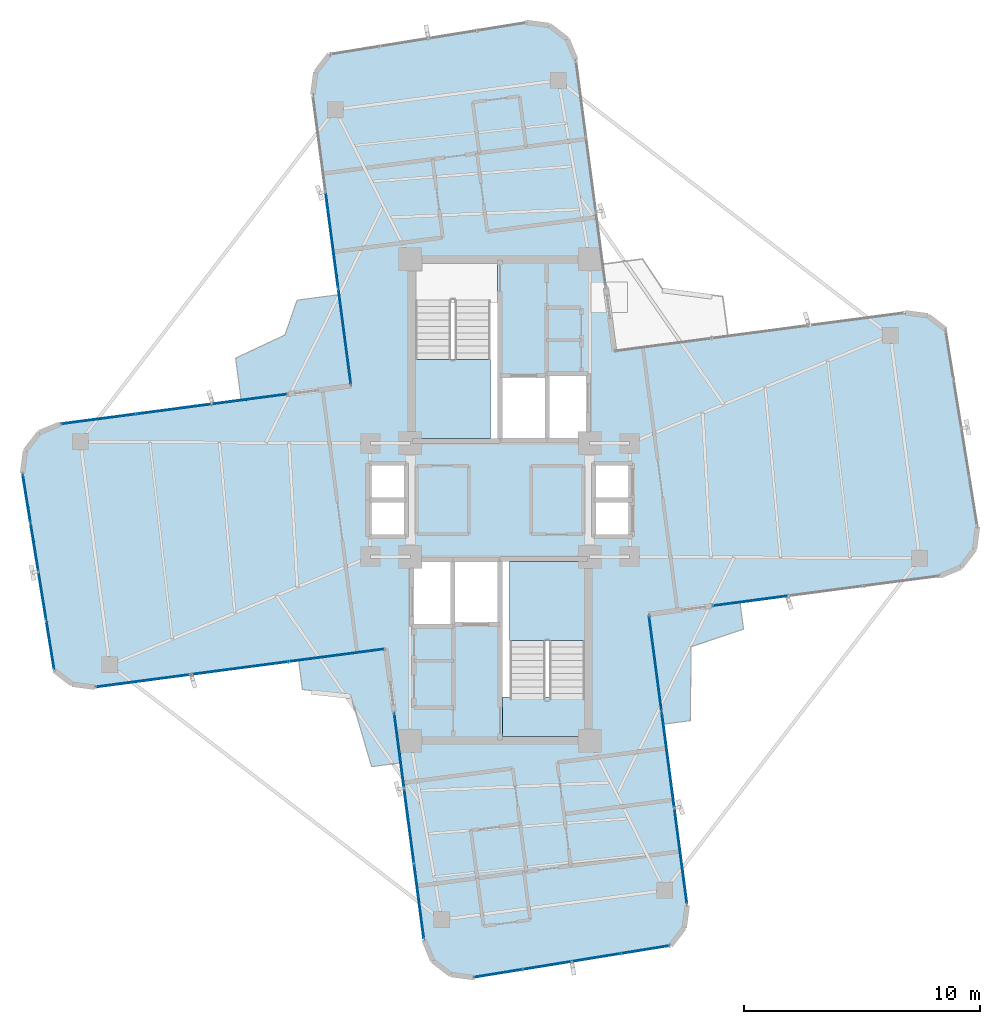
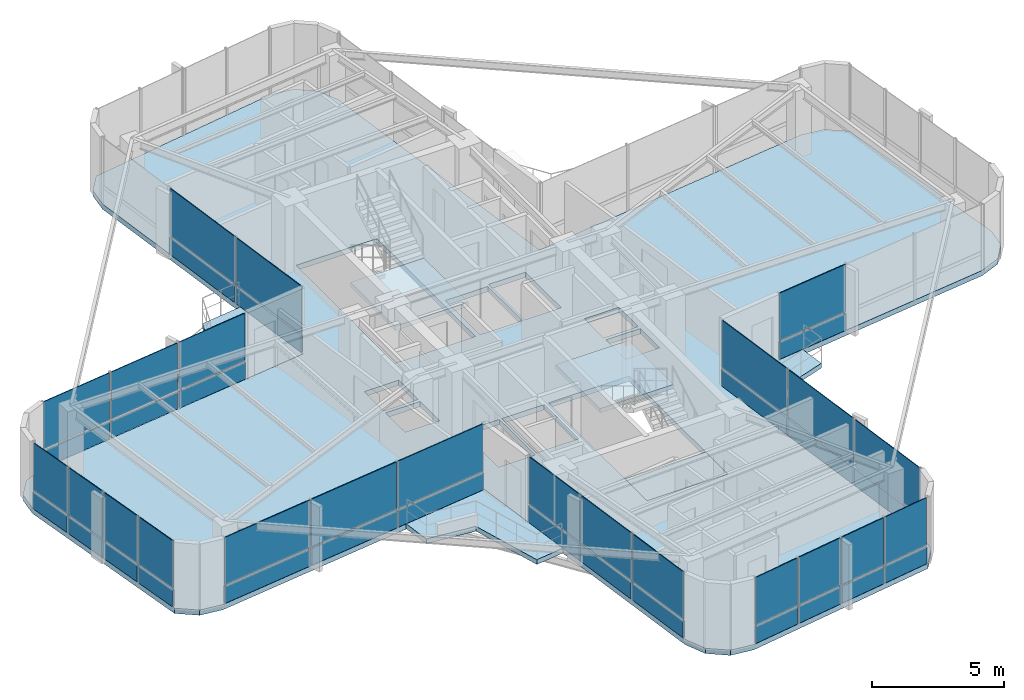
# One storey, part 17 of 22: 46 plates, 7 slabs, 10 elements without a shape of their own.
"""IFC4 building model written with IfcOpenShell, lengths in metres."""

from ifc_helpers import new_model, si_unit, direction, frame, origin, origin_2d, place, context, subcontext, project, spatial, polyline, rectangle, outline, extrude, source, transform, mapped, material, layer, layer_set, type_object, element, aggregate, save


model = new_model("IFC4")

# Units and contexts
model_context = context("Model", 3, precision=1e-05, world=origin(), true_north=direction((0.0, 1.0)))
body_context = subcontext(model_context, "Body", "Model", "MODEL_VIEW")
ifc_project = project(units=[si_unit("LENGTHUNIT", "METRE"), si_unit("AREAUNIT", "SQUARE_METRE"), si_unit("VOLUMEUNIT", "CUBIC_METRE"), si_unit("PLANEANGLEUNIT", "RADIAN"), si_unit("MASSUNIT", "GRAM", prefix="KILO")], contexts=[model_context])

# Site, building, storey
site_placement = place(None, origin())
site = spatial("IfcSite", under=ifc_project, at=site_placement, CompositionType="ELEMENT")
building_placement = place(site_placement, origin())
building = spatial("IfcBuilding", under=site, at=building_placement, Name="Sahyath Konkavel Grand Hotel", CompositionType="ELEMENT")
storey_placement = place(building_placement, frame((0.0, 0.0, 237.800048828125)))
storey = spatial("IfcBuildingStorey", under=building, at=storey_placement, Name="L66", CompositionType="ELEMENT", Elevation=237.800048828125)

# Slabs
ifc_material_1 = material(Name="Concrete C40/50", Category="concrete")
ifc_layer_1 = layer(ifc_material_1, 0.239990234375)
ifc_layer_set_1 = layer_set([ifc_layer_1], Name="Concrete C40/50")
slab_type_1 = type_object("IfcSlabType", Name="SLB-240", PredefinedType="FLOOR", material=ifc_layer_set_1)
slab_1_placement = place(storey_placement, frame((0.0, 0.0, -0.239990234375)))
element("IfcSlab", 1, at=slab_1_placement, inside=storey, type_object=slab_type_1, Name="L66 Structural Floor Slab", PredefinedType="FLOOR", context=body_context, shape_type="SweptSolid", body=[
    extrude(outline(polyline([(6.31103515625, -4.8427734375), (18.649658203125, -3.21826171875), (19.534423828125, -2.851806640625), (20.1171875, -2.092041015625), (20.2421875, -1.142578125), (18.890380859375, 7.2275390625), (18.130615234375, 7.810546875), (17.18115234375, 7.935546875), (4.8427734375, 6.31103515625), (3.21826171875, 18.649658203125), (2.851806640625, 19.534423828125), (2.092041015625, 20.1171875), (1.142578125, 20.2421875), (-7.2275390625, 18.890380859375), (-7.810546875, 18.130615234375), (-7.935546875, 17.18115234375), (-6.31103515625, 4.8427734375), (-18.649658203125, 3.21826171875), (-19.534423828125, 2.851806640625), (-20.1171875, 2.092041015625), (-20.2421875, 1.142578125), (-18.890380859375, -7.2275390625), (-18.130615234375, -7.810546875), (-17.18115234375, -7.935546875), (-4.8427734375, -6.31103515625), (-3.21826171875, -18.649658203125), (-2.851806640625, -19.534423828125), (-2.092041015625, -20.1171875), (-1.142578125, -20.2421875), (7.2275390625, -18.890380859375), (7.810546875, -18.130615234375), (7.935546875, -17.18115234375), (6.31103515625, -4.8427734375)]), holes=[polyline([(-3.6201171875, 2.580078125), (-0.10009765625, 2.580078125), (-0.10009765625, 10.02001953125), (-3.6201171875, 10.02001953125), (-3.6201171875, 2.580078125)]), polyline([(0.10009765625, -10.02001953125), (3.6201171875, -10.02001953125), (3.6201171875, -2.580078125), (0.10009765625, -2.580078125), (0.10009765625, -10.02001953125)]), polyline([(0.10009765625, 2.60009765625), (1.949951171875, 2.60009765625), (1.949951171875, 5.199951171875), (0.10009765625, 5.199951171875), (0.10009765625, 2.60009765625)]), polyline([(-1.949951171875, -5.199951171875), (-0.10009765625, -5.199951171875), (-0.10009765625, -2.60009765625), (-1.949951171875, -2.60009765625), (-1.949951171875, -5.199951171875)]), polyline([(2.050048828125, 2.60009765625), (3.64990234375, 2.60009765625), (3.64990234375, 5.300048828125), (2.050048828125, 5.300048828125), (2.050048828125, 2.60009765625)]), polyline([(-3.64990234375, -5.300048828125), (-2.050048828125, -5.300048828125), (-2.050048828125, -2.60009765625), (-3.64990234375, -2.60009765625), (-3.64990234375, -5.300048828125)]), polyline([(4.050048828125, 0.080078125), (5.550048828125, 0.080078125), (5.550048828125, 1.5400390625), (4.050048828125, 1.5400390625), (4.050048828125, 0.080078125)]), polyline([(4.050048828125, -1.5400390625), (5.550048828125, -1.5400390625), (5.550048828125, -0.080078125), (4.050048828125, -0.080078125), (4.050048828125, -1.5400390625)]), polyline([(-5.550048828125, 0.080078125), (-4.050048828125, 0.080078125), (-4.050048828125, 1.5400390625), (-5.550048828125, 1.5400390625), (-5.550048828125, 0.080078125)]), polyline([(-5.550048828125, -1.5400390625), (-4.050048828125, -1.5400390625), (-4.050048828125, -0.080078125), (-5.550048828125, -0.080078125), (-5.550048828125, -1.5400390625)])]), origin(), (0.0, 0.0, 1.0), 0.239990234375),
])
ifc_layer_2 = layer(ifc_material_1, 0.219970703125)
ifc_layer_set_2 = layer_set([ifc_layer_2], Name="Concrete C40/50")
slab_type_2 = type_object("IfcSlabType", Name="SLB-BALCONY-220", PredefinedType="FLOOR", material=ifc_layer_set_2)
slab_2_placement = place(storey_placement, frame((0.0, 0.0, -0.219970703125)))
element("IfcSlab", 2, at=slab_2_placement, inside=storey, type_object=slab_type_2, Name="L66 Winter-Garden Balcony NW", PredefinedType="FLOOR", context=body_context, shape_type="SweptSolid", body=[
    extrude(outline(polyline([(-6.31103515625, 4.8427734375), (-6.819580078125, 8.706298828125), (-8.604248046875, 8.471435546875), (-9.115966796875, 6.9951171875), (-11.208740234375, 6.013427734375), (-10.973876953125, 4.228759765625), (-6.31103515625, 4.8427734375)])), origin(), (0.0, 0.0, 1.0), 0.219970703125),
])
slab_3_placement = place(storey_placement, frame((0.0, 0.0, -0.219970703125)))
element("IfcSlab", 3, at=slab_3_placement, inside=storey, type_object=slab_type_2, Name="L66 Winter-Garden Balcony SW", PredefinedType="FLOOR", context=body_context, shape_type="SweptSolid", body=[
    extrude(outline(polyline([(-4.8427734375, -6.31103515625), (-8.537841796875, -6.797607421875), (-8.374755859375, -8.035400390625), (-6.33544921875, -8.256591796875), (-5.4443359375, -11.305419921875), (-4.20654296875, -11.142333984375), (-4.8427734375, -6.31103515625)])), origin(), (0.0, 0.0, 1.0), 0.219970703125),
])
slab_4_placement = place(storey_placement, frame((0.0, 0.0, -0.219970703125)))
element("IfcSlab", 4, at=slab_4_placement, inside=storey, type_object=slab_type_2, Name="L66 Winter-Garden Balcony SE", PredefinedType="FLOOR", context=body_context, shape_type="SweptSolid", body=[
    extrude(outline(polyline([(6.31103515625, -4.8427734375), (6.925048828125, -9.50537109375), (8.067138671875, -9.35498046875), (8.106201171875, -6.22021484375), (10.3251953125, -5.476318359375), (10.1748046875, -4.333984375), (6.31103515625, -4.8427734375)])), origin(), (0.0, 0.0, 1.0), 0.219970703125),
])

# Stair, slab
stair_type = type_object("IfcStairType", Name="STR-ST16-335", PredefinedType="HALF_TURN_STAIR", material=ifc_material_1)
stair_1_placement = place(storey_placement, origin())
stair_1 = element("IfcStair", 5, at=stair_1_placement, inside=storey, type_object=stair_type, Name="L66 North Core Smokeproof Exit Stair ST-1", PredefinedType="HALF_TURN_STAIR")
ifc_layer_3 = layer(ifc_material_1, 0.199951171875)
ifc_layer_set_3 = layer_set([ifc_layer_3], Name="Concrete C40/50")
slab_type_3 = type_object("IfcSlabType", Name="SLB-STAIR-LND", PredefinedType="LANDING", material=ifc_layer_set_3)
slab_5_placement = place(storey_placement, frame((0.0, 0.0, 1.474853515625)))
slab_5 = element("IfcSlab", 6, at=slab_5_placement, type_object=slab_type_3, Name="ST-1 landing 1", PredefinedType="LANDING", context=body_context, shape_type="SweptSolid", body=[
    extrude(outline(polyline([(-3.60009765625, 5.9599609375), (-3.60009765625, 2.60009765625), (-0.39990234375, 2.60009765625), (-0.39990234375, 5.9599609375), (-3.60009765625, 5.9599609375)])), origin(), (0.0, 0.0, 1.0), 0.2001953125),
])
aggregate(stair_1, [slab_5])

stair_2_placement = place(storey_placement, origin())
stair_2 = element("IfcStair", 7, at=stair_2_placement, inside=storey, type_object=stair_type, Name="L66 South Core Smokeproof Exit Stair ST-2", PredefinedType="HALF_TURN_STAIR")
slab_6_placement = place(storey_placement, frame((0.0, 0.0, 1.474853515625)))
slab_6 = element("IfcSlab", 8, at=slab_6_placement, type_object=slab_type_3, Name="ST-2 landing 1", PredefinedType="LANDING", context=body_context, shape_type="SweptSolid", body=[
    extrude(outline(polyline([(3.60009765625, -5.9599609375), (3.60009765625, -2.60009765625), (0.39990234375, -2.60009765625), (0.39990234375, -5.9599609375), (3.60009765625, -5.9599609375)])), origin(), (0.0, 0.0, 1.0), 0.2001953125),
])
aggregate(stair_2, [slab_6])

# Slab
slab_7_placement = place(storey_placement, frame((0.0, 0.0, -0.199951171875)))
element("IfcSlab", 9, at=slab_7_placement, inside=storey, type_object=slab_type_3, Name="L66 Stair ST-2 Floor Landing Slab", PredefinedType="LANDING", context=body_context, shape_type="SweptSolid", body=[
    extrude(outline(polyline([(0.10009765625, -10.02001953125), (3.6201171875, -10.02001953125), (3.6201171875, -8.35009765625), (0.10009765625, -8.35009765625), (0.10009765625, -10.02001953125)])), origin(), (0.0, 0.0, 1.0), 0.199951171875),
])

# Curtain wall, plate
ifc_material_2 = material(Name="Anodised Bronze Aluminium & Low-E Glazing", Category="aluminium")
curtain_wall_type = type_object("IfcCurtainWallType", Name="CW-ZONE4", PredefinedType="NOTDEFINED", material=ifc_material_2)
curtain_wall_1_placement = place(storey_placement, origin())
curtain_wall_1 = element("IfcCurtainWall", 10, at=curtain_wall_1_placement, inside=storey, type_object=curtain_wall_type, Name="L66 Unitised Curtain Wall F0", PredefinedType="NOTDEFINED")
ifc_material_3 = material(Name="Warm Buff Sandstone Cladding", Category="masonry")
ifc_layer_4 = layer(ifc_material_3, 0.074951171875)
ifc_layer_set_4 = layer_set([ifc_layer_4], Name="Warm Buff Sandstone Cladding")
plate_type_1 = type_object("IfcPlateType", Name="PNL-SPANDREL-STONE", PredefinedType="SHEET", material=ifc_layer_set_4)
shared_shape_1 = source(origin(), body_context, "Body", "SweptSolid", [
    extrude(rectangle(XDim=3.1416015625, YDim=0.074951171875, at=origin_2d()), origin(), (0.0, 0.0, 1.0), 0.77001953125),
])
plate_1_placement = place(storey_placement, frame((10.624755859375, -4.27490234375, 0.0400390625), z_axis=(0.0, 0.0, 1.0), x_axis=(0.991444861374, 0.13052619222, 0.0)))
plate_1 = element("IfcPlate", 11, at=plate_1_placement, type_object=plate_type_1, Name="L66 Sandstone Relief Spandrel Panel F0-0", PredefinedType="SHEET", context=body_context, shape_type="MappedRepresentation", body=[
    mapped(shared_shape_1, transform((0.0, 0.0, 0.0), scale=1.0)),
])

# Curtain wall, plates
curtain_wall_2_placement = place(storey_placement, origin())
curtain_wall_2 = element("IfcCurtainWall", 12, at=curtain_wall_2_placement, inside=storey, type_object=curtain_wall_type, Name="L66 Unitised Curtain Wall F16", PredefinedType="NOTDEFINED")
plate_2_placement = place(storey_placement, frame((-10.624755859375, 4.27490234375, 0.0400390625), z_axis=(0.0, 0.0, 1.0), x_axis=(-0.991444861374, -0.13052619222, 0.0)))
plate_2 = element("IfcPlate", 13, at=plate_2_placement, type_object=plate_type_1, Name="L66 Sandstone Relief Spandrel Panel F16-0", PredefinedType="SHEET", context=body_context, shape_type="MappedRepresentation", body=[
    mapped(shared_shape_1, transform((0.0, 0.0, 0.0), scale=1.0)),
])
plate_3_placement = place(storey_placement, frame((-13.81884765625, 3.854248046875, 0.0400390625), z_axis=(0.0, 0.0, 1.0), x_axis=(-0.991444861374, -0.13052619222, 0.0)))
plate_3 = element("IfcPlate", 14, at=plate_3_placement, type_object=plate_type_1, Name="L66 Sandstone Relief Spandrel Panel F16-1", PredefinedType="SHEET", context=body_context, shape_type="MappedRepresentation", body=[
    mapped(shared_shape_1, transform((0.0, 0.0, 0.0), scale=1.0)),
])
plate_4_placement = place(storey_placement, frame((-17.012939453125, 3.43359375, 0.0400390625), z_axis=(0.0, 0.0, 1.0), x_axis=(-0.991444861374, -0.13052619222, 0.0)))
plate_4 = element("IfcPlate", 15, at=plate_4_placement, type_object=plate_type_1, Name="L66 Sandstone Relief Spandrel Panel F16-2", PredefinedType="SHEET", context=body_context, shape_type="MappedRepresentation", body=[
    mapped(shared_shape_1, transform((0.0, 0.0, 0.0), scale=1.0)),
])

curtain_wall_3_placement = place(storey_placement, origin())
curtain_wall_3 = element("IfcCurtainWall", 16, at=curtain_wall_3_placement, inside=storey, type_object=curtain_wall_type, Name="L66 Unitised Curtain Wall F24", PredefinedType="NOTDEFINED")
plate_5_placement = place(storey_placement, frame((-4.27490234375, -10.624755859375, 0.0400390625), z_axis=(0.0, 0.0, 1.0), x_axis=(0.13052619222, -0.991444861374, 0.0)))
plate_5 = element("IfcPlate", 17, at=plate_5_placement, type_object=plate_type_1, Name="L66 Sandstone Relief Spandrel Panel F24-0", PredefinedType="SHEET", context=body_context, shape_type="MappedRepresentation", body=[
    mapped(shared_shape_1, transform((0.0, 0.0, 0.0), scale=1.0)),
])
plate_6_placement = place(storey_placement, frame((-3.854248046875, -13.81884765625, 0.0400390625), z_axis=(0.0, 0.0, 1.0), x_axis=(0.13052619222, -0.991444861374, 0.0)))
plate_6 = element("IfcPlate", 18, at=plate_6_placement, type_object=plate_type_1, Name="L66 Sandstone Relief Spandrel Panel F24-1", PredefinedType="SHEET", context=body_context, shape_type="MappedRepresentation", body=[
    mapped(shared_shape_1, transform((0.0, 0.0, 0.0), scale=1.0)),
])
plate_7_placement = place(storey_placement, frame((-3.43359375, -17.012939453125, 0.0400390625), z_axis=(0.0, 0.0, 1.0), x_axis=(0.13052619222, -0.991444861374, 0.0)))
plate_7 = element("IfcPlate", 19, at=plate_7_placement, type_object=plate_type_1, Name="L66 Sandstone Relief Spandrel Panel F24-2", PredefinedType="SHEET", context=body_context, shape_type="MappedRepresentation", body=[
    mapped(shared_shape_1, transform((0.0, 0.0, 0.0), scale=1.0)),
])

# Plate
ifc_material_4 = material(Name="Low-E Solar Control Double Glazing", Category="glass")
ifc_layer_5 = layer(ifc_material_4, 0.035888671875)
ifc_layer_set_5 = layer_set([ifc_layer_5], Name="Low-E Solar Control Double Glazing")
plate_type_2 = type_object("IfcPlateType", Name="PNL-VISION-LOWE", PredefinedType="CURTAIN_PANEL", material=ifc_layer_set_5)
shared_shape_2 = source(origin(), body_context, "Body", "SweptSolid", [
    extrude(rectangle(XDim=3.1416015625, YDim=0.035888671875, at=origin_2d()), origin(), (0.0, 0.0, 1.0), 2.179931640625),
])
plate_8_placement = place(storey_placement, frame((10.624755859375, -4.27490234375, 0.89013671875), z_axis=(0.0, 0.0, 1.0), x_axis=(0.991444861374, 0.13052619222, 0.0)))
plate_8 = element("IfcPlate", 20, at=plate_8_placement, type_object=plate_type_2, Name="L66 Low-E Vision Glazing Panel F0-0", PredefinedType="CURTAIN_PANEL", context=body_context, shape_type="MappedRepresentation", body=[
    mapped(shared_shape_2, transform((0.0, 0.0, 0.0), scale=1.0)),
])

aggregate(curtain_wall_1, [plate_1, plate_8])

plate_9_placement = place(storey_placement, frame((-10.624755859375, 4.27490234375, 0.89013671875), z_axis=(0.0, 0.0, 1.0), x_axis=(-0.991444861374, -0.13052619222, 0.0)))
plate_9 = element("IfcPlate", 21, at=plate_9_placement, type_object=plate_type_2, Name="L66 Low-E Vision Glazing Panel F16-0", PredefinedType="CURTAIN_PANEL", context=body_context, shape_type="MappedRepresentation", body=[
    mapped(shared_shape_2, transform((0.0, 0.0, 0.0), scale=1.0)),
])

plate_10_placement = place(storey_placement, frame((-13.81884765625, 3.854248046875, 0.89013671875), z_axis=(0.0, 0.0, 1.0), x_axis=(-0.991444861374, -0.13052619222, 0.0)))
plate_10 = element("IfcPlate", 22, at=plate_10_placement, type_object=plate_type_2, Name="L66 Low-E Vision Glazing Panel F16-1", PredefinedType="CURTAIN_PANEL", context=body_context, shape_type="MappedRepresentation", body=[
    mapped(shared_shape_2, transform((0.0, 0.0, 0.0), scale=1.0)),
])

plate_11_placement = place(storey_placement, frame((-17.012939453125, 3.43359375, 0.89013671875), z_axis=(0.0, 0.0, 1.0), x_axis=(-0.991444861374, -0.13052619222, 0.0)))
plate_11 = element("IfcPlate", 23, at=plate_11_placement, type_object=plate_type_2, Name="L66 Low-E Vision Glazing Panel F16-2", PredefinedType="CURTAIN_PANEL", context=body_context, shape_type="MappedRepresentation", body=[
    mapped(shared_shape_2, transform((0.0, 0.0, 0.0), scale=1.0)),
])

aggregate(curtain_wall_2, [plate_2, plate_9, plate_3, plate_10, plate_4, plate_11])

plate_12_placement = place(storey_placement, frame((-4.27490234375, -10.624755859375, 0.89013671875), z_axis=(0.0, 0.0, 1.0), x_axis=(0.13052619222, -0.991444861374, 0.0)))
plate_12 = element("IfcPlate", 24, at=plate_12_placement, type_object=plate_type_2, Name="L66 Low-E Vision Glazing Panel F24-0", PredefinedType="CURTAIN_PANEL", context=body_context, shape_type="MappedRepresentation", body=[
    mapped(shared_shape_2, transform((0.0, 0.0, 0.0), scale=1.0)),
])

plate_13_placement = place(storey_placement, frame((-3.854248046875, -13.81884765625, 0.89013671875), z_axis=(0.0, 0.0, 1.0), x_axis=(0.13052619222, -0.991444861374, 0.0)))
plate_13 = element("IfcPlate", 25, at=plate_13_placement, type_object=plate_type_2, Name="L66 Low-E Vision Glazing Panel F24-1", PredefinedType="CURTAIN_PANEL", context=body_context, shape_type="MappedRepresentation", body=[
    mapped(shared_shape_2, transform((0.0, 0.0, 0.0), scale=1.0)),
])

plate_14_placement = place(storey_placement, frame((-3.43359375, -17.012939453125, 0.89013671875), z_axis=(0.0, 0.0, 1.0), x_axis=(0.13052619222, -0.991444861374, 0.0)))
plate_14 = element("IfcPlate", 26, at=plate_14_placement, type_object=plate_type_2, Name="L66 Low-E Vision Glazing Panel F24-2", PredefinedType="CURTAIN_PANEL", context=body_context, shape_type="MappedRepresentation", body=[
    mapped(shared_shape_2, transform((0.0, 0.0, 0.0), scale=1.0)),
])

aggregate(curtain_wall_3, [plate_5, plate_12, plate_6, plate_13, plate_7, plate_14])

# Curtain wall, plates
curtain_wall_4_placement = place(storey_placement, origin())
curtain_wall_4 = element("IfcCurtainWall", 27, at=curtain_wall_4_placement, inside=storey, type_object=curtain_wall_type, Name="L66 Unitised Curtain Wall F20", PredefinedType="NOTDEFINED")
shared_shape_3 = source(origin(), body_context, "Body", "SweptSolid", [
    extrude(rectangle(XDim=2.01953125, YDim=0.074951171875, at=origin_2d()), origin(), (0.0, 0.0, 1.0), 0.77001953125),
])
plate_15_placement = place(storey_placement, frame((-20.068603515625, 0.066650390625, 0.0400390625), z_axis=(0.0, 0.0, 1.0), x_axis=(0.159450453036, -0.987205932431, 0.0)))
plate_15 = element("IfcPlate", 28, at=plate_15_placement, type_object=plate_type_1, Name="L66 Sandstone Relief Spandrel Panel F20-0", PredefinedType="SHEET", context=body_context, shape_type="MappedRepresentation", body=[
    mapped(shared_shape_3, transform((0.0, 0.0, 0.0), scale=1.0)),
])
plate_16_placement = place(storey_placement, frame((-19.733642578125, -2.006103515625, 0.0400390625), z_axis=(0.0, 0.0, 1.0), x_axis=(0.159450453036, -0.987205932431, 0.0)))
plate_16 = element("IfcPlate", 29, at=plate_16_placement, type_object=plate_type_1, Name="L66 Sandstone Relief Spandrel Panel F20-1", PredefinedType="SHEET", context=body_context, shape_type="MappedRepresentation", body=[
    mapped(shared_shape_3, transform((0.0, 0.0, 0.0), scale=1.0)),
])
plate_17_placement = place(storey_placement, frame((-19.39892578125, -4.078857421875, 0.0400390625), z_axis=(0.0, 0.0, 1.0), x_axis=(0.159450453036, -0.987205932431, 0.0)))
plate_17 = element("IfcPlate", 30, at=plate_17_placement, type_object=plate_type_1, Name="L66 Sandstone Relief Spandrel Panel F20-2", PredefinedType="SHEET", context=body_context, shape_type="MappedRepresentation", body=[
    mapped(shared_shape_3, transform((0.0, 0.0, 0.0), scale=1.0)),
])
plate_18_placement = place(storey_placement, frame((-19.064208984375, -6.151611328125, 0.0400390625), z_axis=(0.0, 0.0, 1.0), x_axis=(0.159450453036, -0.987205932431, 0.0)))
plate_18 = element("IfcPlate", 31, at=plate_18_placement, type_object=plate_type_1, Name="L66 Sandstone Relief Spandrel Panel F20-3", PredefinedType="SHEET", context=body_context, shape_type="MappedRepresentation", body=[
    mapped(shared_shape_3, transform((0.0, 0.0, 0.0), scale=1.0)),
])

curtain_wall_5_placement = place(storey_placement, origin())
curtain_wall_5 = element("IfcCurtainWall", 32, at=curtain_wall_5_placement, inside=storey, type_object=curtain_wall_type, Name="L66 Unitised Curtain Wall F28", PredefinedType="NOTDEFINED")
plate_19_placement = place(storey_placement, frame((-0.066650390625, -20.068603515625, 0.0400390625), z_axis=(0.0, 0.0, 1.0), x_axis=(0.987205932431, 0.159450453036, 0.0)))
plate_19 = element("IfcPlate", 33, at=plate_19_placement, type_object=plate_type_1, Name="L66 Sandstone Relief Spandrel Panel F28-0", PredefinedType="SHEET", context=body_context, shape_type="MappedRepresentation", body=[
    mapped(shared_shape_3, transform((0.0, 0.0, 0.0), scale=1.0)),
])
plate_20_placement = place(storey_placement, frame((2.006103515625, -19.733642578125, 0.0400390625), z_axis=(0.0, 0.0, 1.0), x_axis=(0.987205932431, 0.159450453036, 0.0)))
plate_20 = element("IfcPlate", 34, at=plate_20_placement, type_object=plate_type_1, Name="L66 Sandstone Relief Spandrel Panel F28-1", PredefinedType="SHEET", context=body_context, shape_type="MappedRepresentation", body=[
    mapped(shared_shape_3, transform((0.0, 0.0, 0.0), scale=1.0)),
])
plate_21_placement = place(storey_placement, frame((4.078857421875, -19.39892578125, 0.0400390625), z_axis=(0.0, 0.0, 1.0), x_axis=(0.987205932431, 0.159450453036, 0.0)))
plate_21 = element("IfcPlate", 35, at=plate_21_placement, type_object=plate_type_1, Name="L66 Sandstone Relief Spandrel Panel F28-2", PredefinedType="SHEET", context=body_context, shape_type="MappedRepresentation", body=[
    mapped(shared_shape_3, transform((0.0, 0.0, 0.0), scale=1.0)),
])
plate_22_placement = place(storey_placement, frame((6.151611328125, -19.064208984375, 0.0400390625), z_axis=(0.0, 0.0, 1.0), x_axis=(0.987205932431, 0.159450453036, 0.0)))
plate_22 = element("IfcPlate", 36, at=plate_22_placement, type_object=plate_type_1, Name="L66 Sandstone Relief Spandrel Panel F28-3", PredefinedType="SHEET", context=body_context, shape_type="MappedRepresentation", body=[
    mapped(shared_shape_3, transform((0.0, 0.0, 0.0), scale=1.0)),
])

# Plate
shared_shape_4 = source(origin(), body_context, "Body", "SweptSolid", [
    extrude(rectangle(XDim=2.01953125, YDim=0.035888671875, at=origin_2d()), origin(), (0.0, 0.0, 1.0), 2.179931640625),
])
plate_23_placement = place(storey_placement, frame((-20.068603515625, 0.066650390625, 0.89013671875), z_axis=(0.0, 0.0, 1.0), x_axis=(0.159450453036, -0.987205932431, 0.0)))
plate_23 = element("IfcPlate", 37, at=plate_23_placement, type_object=plate_type_2, Name="L66 Low-E Vision Glazing Panel F20-0", PredefinedType="CURTAIN_PANEL", context=body_context, shape_type="MappedRepresentation", body=[
    mapped(shared_shape_4, transform((0.0, 0.0, 0.0), scale=1.0)),
])

plate_24_placement = place(storey_placement, frame((-19.733642578125, -2.006103515625, 0.89013671875), z_axis=(0.0, 0.0, 1.0), x_axis=(0.159450453036, -0.987205932431, 0.0)))
plate_24 = element("IfcPlate", 38, at=plate_24_placement, type_object=plate_type_2, Name="L66 Low-E Vision Glazing Panel F20-1", PredefinedType="CURTAIN_PANEL", context=body_context, shape_type="MappedRepresentation", body=[
    mapped(shared_shape_4, transform((0.0, 0.0, 0.0), scale=1.0)),
])

plate_25_placement = place(storey_placement, frame((-19.39892578125, -4.078857421875, 0.89013671875), z_axis=(0.0, 0.0, 1.0), x_axis=(0.159450453036, -0.987205932431, 0.0)))
plate_25 = element("IfcPlate", 39, at=plate_25_placement, type_object=plate_type_2, Name="L66 Low-E Vision Glazing Panel F20-2", PredefinedType="CURTAIN_PANEL", context=body_context, shape_type="MappedRepresentation", body=[
    mapped(shared_shape_4, transform((0.0, 0.0, 0.0), scale=1.0)),
])

plate_26_placement = place(storey_placement, frame((-19.064208984375, -6.151611328125, 0.89013671875), z_axis=(0.0, 0.0, 1.0), x_axis=(0.159450453036, -0.987205932431, 0.0)))
plate_26 = element("IfcPlate", 40, at=plate_26_placement, type_object=plate_type_2, Name="L66 Low-E Vision Glazing Panel F20-3", PredefinedType="CURTAIN_PANEL", context=body_context, shape_type="MappedRepresentation", body=[
    mapped(shared_shape_4, transform((0.0, 0.0, 0.0), scale=1.0)),
])

aggregate(curtain_wall_4, [plate_15, plate_23, plate_16, plate_24, plate_17, plate_25, plate_18, plate_26])

plate_27_placement = place(storey_placement, frame((-0.066650390625, -20.068603515625, 0.89013671875), z_axis=(0.0, 0.0, 1.0), x_axis=(0.987205932431, 0.159450453036, 0.0)))
plate_27 = element("IfcPlate", 41, at=plate_27_placement, type_object=plate_type_2, Name="L66 Low-E Vision Glazing Panel F28-0", PredefinedType="CURTAIN_PANEL", context=body_context, shape_type="MappedRepresentation", body=[
    mapped(shared_shape_4, transform((0.0, 0.0, 0.0), scale=1.0)),
])

plate_28_placement = place(storey_placement, frame((2.006103515625, -19.733642578125, 0.89013671875), z_axis=(0.0, 0.0, 1.0), x_axis=(0.987205932431, 0.159450453036, 0.0)))
plate_28 = element("IfcPlate", 42, at=plate_28_placement, type_object=plate_type_2, Name="L66 Low-E Vision Glazing Panel F28-1", PredefinedType="CURTAIN_PANEL", context=body_context, shape_type="MappedRepresentation", body=[
    mapped(shared_shape_4, transform((0.0, 0.0, 0.0), scale=1.0)),
])

plate_29_placement = place(storey_placement, frame((4.078857421875, -19.39892578125, 0.89013671875), z_axis=(0.0, 0.0, 1.0), x_axis=(0.987205932431, 0.159450453036, 0.0)))
plate_29 = element("IfcPlate", 43, at=plate_29_placement, type_object=plate_type_2, Name="L66 Low-E Vision Glazing Panel F28-2", PredefinedType="CURTAIN_PANEL", context=body_context, shape_type="MappedRepresentation", body=[
    mapped(shared_shape_4, transform((0.0, 0.0, 0.0), scale=1.0)),
])

plate_30_placement = place(storey_placement, frame((6.151611328125, -19.064208984375, 0.89013671875), z_axis=(0.0, 0.0, 1.0), x_axis=(0.987205932431, 0.159450453036, 0.0)))
plate_30 = element("IfcPlate", 44, at=plate_30_placement, type_object=plate_type_2, Name="L66 Low-E Vision Glazing Panel F28-3", PredefinedType="CURTAIN_PANEL", context=body_context, shape_type="MappedRepresentation", body=[
    mapped(shared_shape_4, transform((0.0, 0.0, 0.0), scale=1.0)),
])

aggregate(curtain_wall_5, [plate_19, plate_27, plate_20, plate_28, plate_21, plate_29, plate_22, plate_30])

# Curtain wall, plates
curtain_wall_6_placement = place(storey_placement, origin())
curtain_wall_6 = element("IfcCurtainWall", 45, at=curtain_wall_6_placement, inside=storey, type_object=curtain_wall_type, Name="L66 Unitised Curtain Wall F15", PredefinedType="NOTDEFINED")
shared_shape_5 = source(origin(), body_context, "Body", "SweptSolid", [
    extrude(rectangle(XDim=4.041748046875, YDim=0.074951171875, at=origin_2d()), origin(), (0.0, 0.0, 1.0), 0.77001953125),
])
plate_31_placement = place(storey_placement, frame((-7.123291015625, 11.011962890625, 0.0400390625), z_axis=(0.0, 0.0, 1.0), x_axis=(0.13052619222, -0.991444861374, 0.0)))
plate_31 = element("IfcPlate", 46, at=plate_31_placement, type_object=plate_type_1, Name="L66 Sandstone Relief Spandrel Panel F15-1", PredefinedType="SHEET", context=body_context, shape_type="MappedRepresentation", body=[
    mapped(shared_shape_5, transform((0.0, 0.0, 0.0), scale=1.0)),
])
plate_32_placement = place(storey_placement, frame((-6.585205078125, 6.925537109375, 0.0400390625), z_axis=(0.0, 0.0, 1.0), x_axis=(0.13052619222, -0.991444861374, 0.0)))
plate_32 = element("IfcPlate", 47, at=plate_32_placement, type_object=plate_type_1, Name="L66 Sandstone Relief Spandrel Panel F15-2", PredefinedType="SHEET", context=body_context, shape_type="MappedRepresentation", body=[
    mapped(shared_shape_5, transform((0.0, 0.0, 0.0), scale=1.0)),
])

curtain_wall_7_placement = place(storey_placement, origin())
curtain_wall_7 = element("IfcCurtainWall", 48, at=curtain_wall_7_placement, inside=storey, type_object=curtain_wall_type, Name="L66 Unitised Curtain Wall F23", PredefinedType="NOTDEFINED")
plate_33_placement = place(storey_placement, frame((-15.098388671875, -7.661376953125, 0.0400390625), z_axis=(0.0, 0.0, 1.0), x_axis=(0.991444861374, 0.13052619222, 0.0)))
plate_33 = element("IfcPlate", 49, at=plate_33_placement, type_object=plate_type_1, Name="L66 Sandstone Relief Spandrel Panel F23-0", PredefinedType="SHEET", context=body_context, shape_type="MappedRepresentation", body=[
    mapped(shared_shape_5, transform((0.0, 0.0, 0.0), scale=1.0)),
])
plate_34_placement = place(storey_placement, frame((-11.011962890625, -7.123291015625, 0.0400390625), z_axis=(0.0, 0.0, 1.0), x_axis=(0.991444861374, 0.13052619222, 0.0)))
plate_34 = element("IfcPlate", 50, at=plate_34_placement, type_object=plate_type_1, Name="L66 Sandstone Relief Spandrel Panel F23-1", PredefinedType="SHEET", context=body_context, shape_type="MappedRepresentation", body=[
    mapped(shared_shape_5, transform((0.0, 0.0, 0.0), scale=1.0)),
])
plate_35_placement = place(storey_placement, frame((-6.925537109375, -6.585205078125, 0.0400390625), z_axis=(0.0, 0.0, 1.0), x_axis=(0.991444861374, 0.13052619222, 0.0)))
plate_35 = element("IfcPlate", 51, at=plate_35_placement, type_object=plate_type_1, Name="L66 Sandstone Relief Spandrel Panel F23-2", PredefinedType="SHEET", context=body_context, shape_type="MappedRepresentation", body=[
    mapped(shared_shape_5, transform((0.0, 0.0, 0.0), scale=1.0)),
])

curtain_wall_8_placement = place(storey_placement, origin())
curtain_wall_8 = element("IfcCurtainWall", 52, at=curtain_wall_8_placement, inside=storey, type_object=curtain_wall_type, Name="L66 Unitised Curtain Wall F31", PredefinedType="NOTDEFINED")
plate_36_placement = place(storey_placement, frame((7.661376953125, -15.098388671875, 0.0400390625), z_axis=(0.0, 0.0, 1.0), x_axis=(-0.13052619222, 0.991444861374, 0.0)))
plate_36 = element("IfcPlate", 53, at=plate_36_placement, type_object=plate_type_1, Name="L66 Sandstone Relief Spandrel Panel F31-0", PredefinedType="SHEET", context=body_context, shape_type="MappedRepresentation", body=[
    mapped(shared_shape_5, transform((0.0, 0.0, 0.0), scale=1.0)),
])
plate_37_placement = place(storey_placement, frame((7.123291015625, -11.011962890625, 0.0400390625), z_axis=(0.0, 0.0, 1.0), x_axis=(-0.13052619222, 0.991444861374, 0.0)))
plate_37 = element("IfcPlate", 54, at=plate_37_placement, type_object=plate_type_1, Name="L66 Sandstone Relief Spandrel Panel F31-1", PredefinedType="SHEET", context=body_context, shape_type="MappedRepresentation", body=[
    mapped(shared_shape_5, transform((0.0, 0.0, 0.0), scale=1.0)),
])
plate_38_placement = place(storey_placement, frame((6.585205078125, -6.925537109375, 0.0400390625), z_axis=(0.0, 0.0, 1.0), x_axis=(-0.13052619222, 0.991444861374, 0.0)))
plate_38 = element("IfcPlate", 55, at=plate_38_placement, type_object=plate_type_1, Name="L66 Sandstone Relief Spandrel Panel F31-2", PredefinedType="SHEET", context=body_context, shape_type="MappedRepresentation", body=[
    mapped(shared_shape_5, transform((0.0, 0.0, 0.0), scale=1.0)),
])

# Plate
shared_shape_6 = source(origin(), body_context, "Body", "SweptSolid", [
    extrude(rectangle(XDim=4.041748046875, YDim=0.035888671875, at=origin_2d()), origin(), (0.0, 0.0, 1.0), 2.179931640625),
])
plate_39_placement = place(storey_placement, frame((-7.123291015625, 11.011962890625, 0.89013671875), z_axis=(0.0, 0.0, 1.0), x_axis=(0.13052619222, -0.991444861374, 0.0)))
plate_39 = element("IfcPlate", 56, at=plate_39_placement, type_object=plate_type_2, Name="L66 Low-E Vision Glazing Panel F15-1", PredefinedType="CURTAIN_PANEL", context=body_context, shape_type="MappedRepresentation", body=[
    mapped(shared_shape_6, transform((0.0, 0.0, 0.0), scale=1.0)),
])

plate_40_placement = place(storey_placement, frame((-6.585205078125, 6.925537109375, 0.89013671875), z_axis=(0.0, 0.0, 1.0), x_axis=(0.13052619222, -0.991444861374, 0.0)))
plate_40 = element("IfcPlate", 57, at=plate_40_placement, type_object=plate_type_2, Name="L66 Low-E Vision Glazing Panel F15-2", PredefinedType="CURTAIN_PANEL", context=body_context, shape_type="MappedRepresentation", body=[
    mapped(shared_shape_6, transform((0.0, 0.0, 0.0), scale=1.0)),
])

aggregate(curtain_wall_6, [plate_31, plate_39, plate_32, plate_40])

plate_41_placement = place(storey_placement, frame((-15.098388671875, -7.661376953125, 0.89013671875), z_axis=(0.0, 0.0, 1.0), x_axis=(0.991444861374, 0.13052619222, 0.0)))
plate_41 = element("IfcPlate", 58, at=plate_41_placement, type_object=plate_type_2, Name="L66 Low-E Vision Glazing Panel F23-0", PredefinedType="CURTAIN_PANEL", context=body_context, shape_type="MappedRepresentation", body=[
    mapped(shared_shape_6, transform((0.0, 0.0, 0.0), scale=1.0)),
])

plate_42_placement = place(storey_placement, frame((-11.011962890625, -7.123291015625, 0.89013671875), z_axis=(0.0, 0.0, 1.0), x_axis=(0.991444861374, 0.13052619222, 0.0)))
plate_42 = element("IfcPlate", 59, at=plate_42_placement, type_object=plate_type_2, Name="L66 Low-E Vision Glazing Panel F23-1", PredefinedType="CURTAIN_PANEL", context=body_context, shape_type="MappedRepresentation", body=[
    mapped(shared_shape_6, transform((0.0, 0.0, 0.0), scale=1.0)),
])

plate_43_placement = place(storey_placement, frame((-6.925537109375, -6.585205078125, 0.89013671875), z_axis=(0.0, 0.0, 1.0), x_axis=(0.991444861374, 0.13052619222, 0.0)))
plate_43 = element("IfcPlate", 60, at=plate_43_placement, type_object=plate_type_2, Name="L66 Low-E Vision Glazing Panel F23-2", PredefinedType="CURTAIN_PANEL", context=body_context, shape_type="MappedRepresentation", body=[
    mapped(shared_shape_6, transform((0.0, 0.0, 0.0), scale=1.0)),
])

aggregate(curtain_wall_7, [plate_33, plate_41, plate_34, plate_42, plate_35, plate_43])

plate_44_placement = place(storey_placement, frame((7.661376953125, -15.098388671875, 0.89013671875), z_axis=(0.0, 0.0, 1.0), x_axis=(-0.13052619222, 0.991444861374, 0.0)))
plate_44 = element("IfcPlate", 61, at=plate_44_placement, type_object=plate_type_2, Name="L66 Low-E Vision Glazing Panel F31-0", PredefinedType="CURTAIN_PANEL", context=body_context, shape_type="MappedRepresentation", body=[
    mapped(shared_shape_6, transform((0.0, 0.0, 0.0), scale=1.0)),
])

plate_45_placement = place(storey_placement, frame((7.123291015625, -11.011962890625, 0.89013671875), z_axis=(0.0, 0.0, 1.0), x_axis=(-0.13052619222, 0.991444861374, 0.0)))
plate_45 = element("IfcPlate", 62, at=plate_45_placement, type_object=plate_type_2, Name="L66 Low-E Vision Glazing Panel F31-1", PredefinedType="CURTAIN_PANEL", context=body_context, shape_type="MappedRepresentation", body=[
    mapped(shared_shape_6, transform((0.0, 0.0, 0.0), scale=1.0)),
])

plate_46_placement = place(storey_placement, frame((6.585205078125, -6.925537109375, 0.89013671875), z_axis=(0.0, 0.0, 1.0), x_axis=(-0.13052619222, 0.991444861374, 0.0)))
plate_46 = element("IfcPlate", 63, at=plate_46_placement, type_object=plate_type_2, Name="L66 Low-E Vision Glazing Panel F31-2", PredefinedType="CURTAIN_PANEL", context=body_context, shape_type="MappedRepresentation", body=[
    mapped(shared_shape_6, transform((0.0, 0.0, 0.0), scale=1.0)),
])

aggregate(curtain_wall_8, [plate_36, plate_44, plate_37, plate_45, plate_38, plate_46])

save(model, "model.ifc")
